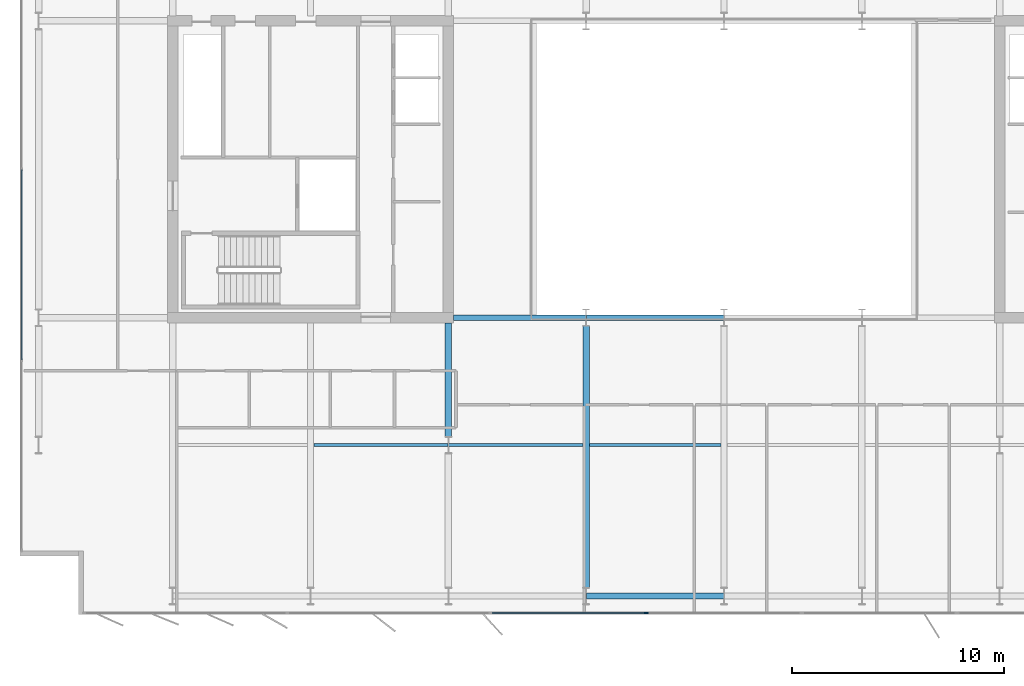
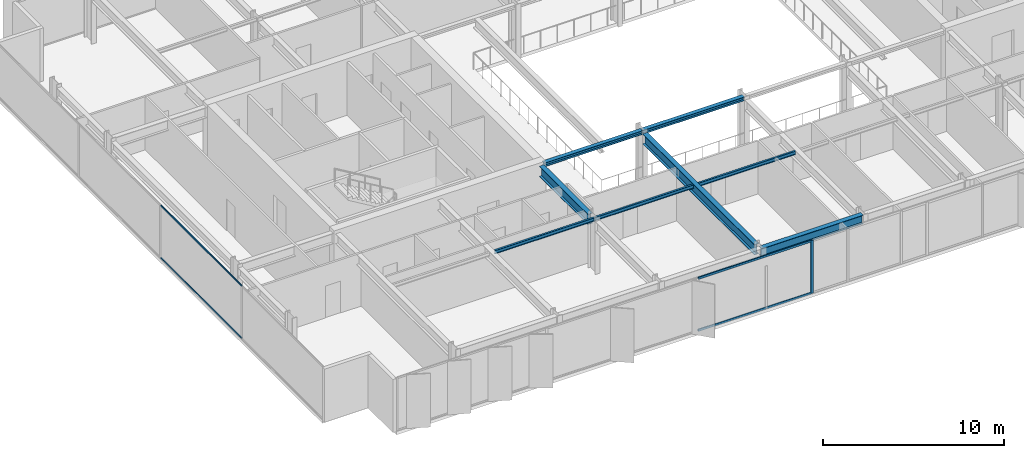
# One storey, part 4 of 24: 8 beams, 5 members, 2 elements without a shape of their own.
"""IFC4 building model written with IfcOpenShell, lengths in metres."""

from ifc_helpers import new_model, si_unit, direction, frame, origin, origin_2d, place, context, subcontext, project, spatial, rectangle, i_section, extrude, material, layer, layer_set, material_profile, profile_set, type_object, element, aggregate, save


model = new_model("IFC4")

# Units and contexts
model_context = context("Model", 3, precision=1e-05, world=origin(), true_north=direction((0.0, 1.0)))
body_context = subcontext(model_context, "Body", "Model", "MODEL_VIEW")
ifc_project = project(units=[si_unit("LENGTHUNIT", "METRE"), si_unit("AREAUNIT", "SQUARE_METRE"), si_unit("VOLUMEUNIT", "CUBIC_METRE"), si_unit("PLANEANGLEUNIT", "RADIAN"), si_unit("MASSUNIT", "GRAM", prefix="KILO")], contexts=[model_context])

# Site, building, storey
site_placement = place(None, origin())
site = spatial("IfcSite", under=ifc_project, at=site_placement, CompositionType="ELEMENT")
building_placement = place(site_placement, origin())
building = spatial("IfcBuilding", under=site, at=building_placement, Name="Putna Gate Headquarters", CompositionType="ELEMENT")
storey_placement = place(building_placement, frame((0.0, 0.0, 244.199951171875)))
storey = spatial("IfcBuildingStorey", under=building, at=storey_placement, Name="L61", CompositionType="ELEMENT", Elevation=244.199951171875)

# Beams
ifc_material_1 = material(Name="Steel S355J2", Category="steel")
ifc_material_profile_1 = material_profile(ifc_material_1, i_section(OverallWidth=0.260009765625, OverallDepth=0.260009765625, WebThickness=0.010009765625, FlangeThickness=0.017578125, at=origin_2d()), Name="Steel S355J2")
ifc_profile_set_1 = profile_set([ifc_material_profile_1], Name="Steel S355J2")
beam_type_1 = type_object("IfcBeamType", Name="BM-ATRIUM-HEB260", PredefinedType="BEAM", material=ifc_profile_set_1)
beam_1_placement = place(storey_placement, frame((26.235107421875, 19.0, 3.449951171875), z_axis=(1.0, 0.0, 0.0), x_axis=(0.0, 1.0, 0.0)))
element("IfcBeam", 1, at=beam_1_placement, inside=storey, type_object=beam_type_1, Name="L61 Atrium Edge Beam AS1", PredefinedType="BEAM", context=body_context, shape_type="SweptSolid", body=[
    extrude(i_section(OverallWidth=0.260009765625, OverallDepth=0.260009765625, WebThickness=0.010009765625, FlangeThickness=0.017578125, at=origin_2d()), origin(), (0.0, 0.0, 1.0), 6.2587890625),
])
beam_2_placement = place(storey_placement, frame((32.506103515625, 19.0, 3.449951171875), z_axis=(1.0, 0.0, 0.0), x_axis=(0.0, 1.0, 0.0)))
element("IfcBeam", 2, at=beam_2_placement, inside=storey, type_object=beam_type_1, Name="L61 Atrium Edge Beam AS2", PredefinedType="BEAM", context=body_context, shape_type="SweptSolid", body=[
    extrude(i_section(OverallWidth=0.260009765625, OverallDepth=0.260009765625, WebThickness=0.010009765625, FlangeThickness=0.017578125, at=origin_2d()), origin(), (0.0, 0.0, 1.0), 6.48779296875),
])
ifc_material_profile_2 = material_profile(ifc_material_1, i_section(OverallWidth=0.300048828125, OverallDepth=0.699951171875, WebThickness=0.01708984375, FlangeThickness=0.031982421875, at=origin_2d()), Name="Steel S355J2")
ifc_profile_set_2 = profile_set([ifc_material_profile_2], Name="Steel S355J2")
beam_type_2 = type_object("IfcBeamType", Name="BM-GIRD-B-HEB700", PredefinedType="USERDEFINED", material=ifc_profile_set_2)
beam_3_placement = place(storey_placement, frame((26.0, 13.39501953125, 3.22998046875), z_axis=(0.0, 1.0, 0.0), x_axis=(-1.0, 0.0, 0.0)))
element("IfcBeam", 3, at=beam_3_placement, inside=storey, type_object=beam_type_2, Name="L61 South Primary Girder X26-2", ObjectType="GIRDER", PredefinedType="USERDEFINED", context=body_context, shape_type="SweptSolid", body=[
    extrude(i_section(OverallWidth=0.300048828125, OverallDepth=0.699951171875, WebThickness=0.01708984375, FlangeThickness=0.031982421875, at=origin_2d()), origin(), (0.0, 0.0, 1.0), 5.369873046875),
])
beam_4_placement = place(storey_placement, frame((32.5, 6.27490234375, 3.22998046875), z_axis=(0.0, 1.0, 0.0), x_axis=(-1.0, 0.0, 0.0)))
element("IfcBeam", 4, at=beam_4_placement, inside=storey, type_object=beam_type_2, Name="L61 South Primary Girder X32", ObjectType="GIRDER", PredefinedType="USERDEFINED", context=body_context, shape_type="SweptSolid", body=[
    extrude(i_section(OverallWidth=0.300048828125, OverallDepth=0.699951171875, WebThickness=0.01708984375, FlangeThickness=0.031982421875, at=origin_2d()), origin(), (0.0, 0.0, 1.0), 12.330078125),
])
ifc_material_profile_3 = material_profile(ifc_material_1, i_section(OverallWidth=0.1201171875, OverallDepth=0.239990234375, WebThickness=0.006103515625, FlangeThickness=0.009765625, at=origin_2d()), Name="Steel S355J2")
ifc_profile_set_3 = profile_set([ifc_material_profile_3], Name="Steel S355J2")
beam_type_3 = type_object("IfcBeamType", Name="BM-SEC-Z4-IPE240", PredefinedType="JOIST", material=ifc_profile_set_3)
for number, where, z_axis, x_axis, name in (
    (5, (19.654052734375, 13.0, 3.4599609375), (1.0, 0.0, 0.0), (0.0, 1.0, 0.0), "L61 South Secondary Beam 2"),
    (6, (26.006103515625, 13.0, 3.4599609375), (1.0, 0.0, 0.0), (0.0, 1.0, 0.0), "L61 South Secondary Beam 3"),
):
    element("IfcBeam", number, at=place(storey_placement, frame(where, z_axis=z_axis, x_axis=x_axis)), inside=storey, type_object=beam_type_3, Name=name, PredefinedType="JOIST", context=body_context, shape_type="SweptSolid", body=[
        extrude(i_section(OverallWidth=0.1201171875, OverallDepth=0.239990234375, WebThickness=0.006103515625, FlangeThickness=0.009765625, at=origin_2d()), origin(), (0.0, 0.0, 1.0), 6.33984375),
    ])
beam_5_placement = place(storey_placement, frame((32.654052734375, 13.0, 3.4599609375), z_axis=(1.0, 0.0, 0.0), x_axis=(0.0, 1.0, 0.0)))
element("IfcBeam", 7, at=beam_5_placement, inside=storey, type_object=beam_type_3, Name="L61 South Secondary Beam 4", PredefinedType="JOIST", context=body_context, shape_type="SweptSolid", body=[
    extrude(i_section(OverallWidth=0.1201171875, OverallDepth=0.239990234375, WebThickness=0.006103515625, FlangeThickness=0.009765625, at=origin_2d()), origin(), (0.0, 0.0, 1.0), 6.19189453125),
])
ifc_material_profile_4 = material_profile(ifc_material_1, i_section(OverallWidth=0.300048828125, OverallDepth=0.590087890625, WebThickness=0.012939453125, FlangeThickness=0.02490234375, at=origin_2d()), Name="Steel S355J2")
ifc_profile_set_4 = profile_set([ifc_material_profile_4], Name="Steel S355J2")
beam_type_4 = type_object("IfcBeamType", Name="BM-SPAN-Z4-HEA600", PredefinedType="SPANDREL", material=ifc_profile_set_4)
beam_6_placement = place(storey_placement, frame((32.506103515625, 5.8798828125, 3.28515625), z_axis=(1.0, 0.0, 0.0), x_axis=(0.0, 1.0, 0.0)))
element("IfcBeam", 8, at=beam_6_placement, inside=storey, type_object=beam_type_4, Name="L61 S Perimeter Spandrel 4", PredefinedType="SPANDREL", context=body_context, shape_type="SweptSolid", body=[
    extrude(i_section(OverallWidth=0.300048828125, OverallDepth=0.590087890625, WebThickness=0.012939453125, FlangeThickness=0.02490234375, at=origin_2d()), origin(), (0.0, 0.0, 1.0), 6.48779296875),
])

# Curtain wall, member
ifc_material_2 = material(Name="Anodised bronze aluminium curtain wall", Category="aluminium")
ifc_layer_1 = layer(ifc_material_2, 0.179931640625)
ifc_layer_set_1 = layer_set([ifc_layer_1], Name="Anodised bronze aluminium curtain wall")
curtain_wall_type_1 = type_object("IfcCurtainWallType", Name="CW-SYS-ATR", PredefinedType="USERDEFINED", material=ifc_layer_set_1)
curtain_wall_1_placement = place(storey_placement, origin())
curtain_wall_1 = element("IfcCurtainWall", 9, at=curtain_wall_1_placement, inside=storey, type_object=curtain_wall_type_1, Name="L61 South Atrium Clear Glazing", ObjectType="ATRIUM GLAZING", PredefinedType="USERDEFINED")
ifc_material_3 = material(Name="Anodised bronze aluminium EN AW-6060", Category="aluminium")
ifc_material_profile_5 = material_profile(ifc_material_3, rectangle(XDim=0.070068359375, YDim=0.179931640625, at=origin_2d()), Name="Anodised bronze aluminium EN AW-6060")
ifc_profile_set_5 = profile_set([ifc_material_profile_5], Name="Anodised bronze aluminium EN AW-6060")
member_type_1 = type_object("IfcMemberType", Name="MULL-CWM-AT", PredefinedType="MULLION", material=ifc_profile_set_5)
member_1_placement = place(storey_placement, frame((35.333251953125, 5.080078125, 0.0), z_axis=(0.0, 0.0, 1.0), x_axis=(0.0, 1.0, 0.0)))
member_1 = element("IfcMember", 10, at=member_1_placement, type_object=member_type_1, Name="CWS-AT mullion 2", PredefinedType="MULLION", context=body_context, shape_type="SweptSolid", body=[
    extrude(rectangle(XDim=0.070068359375, YDim=0.179931640625, at=origin_2d()), origin(), (0.0, 0.0, 1.0), 3.580078125),
])

# Curtain wall, members
ifc_layer_2 = layer(ifc_material_2, 0.139892578125)
ifc_layer_set_2 = layer_set([ifc_layer_2], Name="Anodised bronze aluminium curtain wall")
curtain_wall_type_2 = type_object("IfcCurtainWallType", Name="CW-SYS-Z4", PredefinedType="USERDEFINED", material=ifc_layer_set_2)
curtain_wall_2_placement = place(storey_placement, origin())
curtain_wall_2 = element("IfcCurtainWall", 11, at=curtain_wall_2_placement, inside=storey, type_object=curtain_wall_type_2, Name="L61 West Curtain Wall", ObjectType="STICK CURTAIN WALL", PredefinedType="USERDEFINED")
ifc_material_profile_6 = material_profile(ifc_material_3, rectangle(XDim=0.06005859375, YDim=0.10009765625, at=origin_2d()), Name="Anodised bronze aluminium EN AW-6060")
ifc_profile_set_6 = profile_set([ifc_material_profile_6], Name="Anodised bronze aluminium EN AW-6060")
member_type_2 = type_object("IfcMemberType", Name="TRAN-CWT-4", PredefinedType="USERDEFINED", material=ifc_profile_set_6)
member_2_placement = place(storey_placement, frame((5.8798828125, 17.030029296875, 0.030029296875), z_axis=(0.0, 1.0, 0.0), x_axis=(-1.0, 0.0, 0.0)))
member_2 = element("IfcMember", 12, at=member_2_placement, type_object=member_type_2, Name="CWS-4 transom 2.1", ObjectType="TRANSOM", PredefinedType="USERDEFINED", context=body_context, shape_type="SweptSolid", body=[
    extrude(rectangle(XDim=0.06005859375, YDim=0.10009765625, at=origin_2d()), origin(), (0.0, 0.0, 1.0), 8.93994140625),
])
member_3_placement = place(storey_placement, frame((5.8798828125, 17.030029296875, 3.550048828125), z_axis=(0.0, 1.0, 0.0), x_axis=(-1.0, 0.0, 0.0)))
member_3 = element("IfcMember", 13, at=member_3_placement, type_object=member_type_2, Name="CWS-4 transom 2.2", ObjectType="TRANSOM", PredefinedType="USERDEFINED", context=body_context, shape_type="SweptSolid", body=[
    extrude(rectangle(XDim=0.06005859375, YDim=0.10009765625, at=origin_2d()), origin(), (0.0, 0.0, 1.0), 8.93994140625),
])
aggregate(curtain_wall_2, [member_2, member_3])

# Member
ifc_material_profile_7 = material_profile(ifc_material_3, rectangle(XDim=0.070068359375, YDim=0.139892578125, at=origin_2d()), Name="Anodised bronze aluminium EN AW-6060")
ifc_profile_set_7 = profile_set([ifc_material_profile_7], Name="Anodised bronze aluminium EN AW-6060")
member_type_3 = type_object("IfcMemberType", Name="TRAN-CWT-AT", PredefinedType="USERDEFINED", material=ifc_profile_set_7)
member_4_placement = place(storey_placement, frame((28.070068359375, 5.080078125, 0.03515625), z_axis=(1.0, 0.0, 0.0), x_axis=(0.0, 1.0, 0.0)))
member_4 = element("IfcMember", 14, at=member_4_placement, type_object=member_type_3, Name="CWS-AT transom 1.1", ObjectType="TRANSOM", PredefinedType="USERDEFINED", context=body_context, shape_type="SweptSolid", body=[
    extrude(rectangle(XDim=0.070068359375, YDim=0.139892578125, at=origin_2d()), origin(), (0.0, 0.0, 1.0), 7.228271484375),
])

member_5_placement = place(storey_placement, frame((28.070068359375, 5.080078125, 3.545166015625), z_axis=(1.0, 0.0, 0.0), x_axis=(0.0, 1.0, 0.0)))
member_5 = element("IfcMember", 15, at=member_5_placement, type_object=member_type_3, Name="CWS-AT transom 1.2", ObjectType="TRANSOM", PredefinedType="USERDEFINED", context=body_context, shape_type="SweptSolid", body=[
    extrude(rectangle(XDim=0.070068359375, YDim=0.139892578125, at=origin_2d()), origin(), (0.0, 0.0, 1.0), 7.228271484375),
])

aggregate(curtain_wall_1, [member_1, member_4, member_5])

save(model, "model.ifc")
